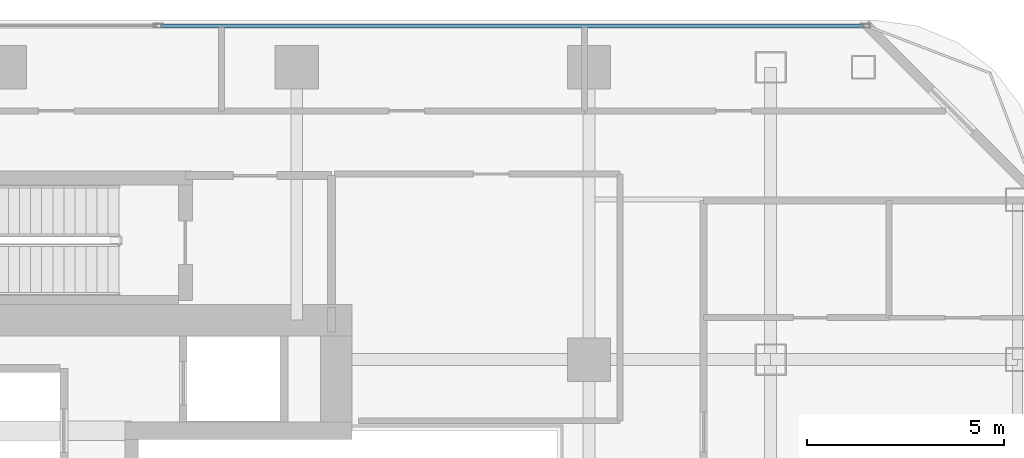
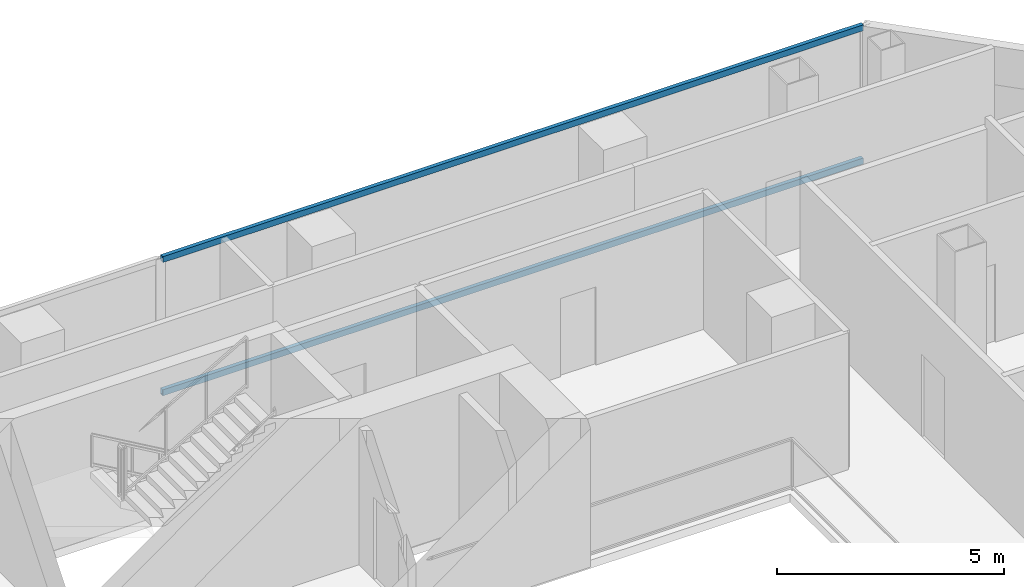
# One storey, part 17 of 27: 2 members, 1 element without a shape of its own.
"""IFC4 building model written with IfcOpenShell, lengths in metres."""

from ifc_helpers import new_model, si_unit, direction, frame, origin, origin_2d, place, context, subcontext, project, spatial, hollow_rectangle, extrude, material, layer, layer_set, material_profile, profile_set, type_object, element, aggregate, save


model = new_model("IFC4")

# Units and contexts
model_context = context("Model", 3, precision=1e-05, world=origin(), true_north=direction((0.0, 1.0)))
body_context = subcontext(model_context, "Body", "Model", "MODEL_VIEW")
ifc_project = project(units=[si_unit("LENGTHUNIT", "METRE"), si_unit("AREAUNIT", "SQUARE_METRE"), si_unit("VOLUMEUNIT", "CUBIC_METRE"), si_unit("PLANEANGLEUNIT", "RADIAN"), si_unit("MASSUNIT", "GRAM", prefix="KILO")], contexts=[model_context])

# Site, building, storey
site_placement = place(None, origin())
site = spatial("IfcSite", under=ifc_project, at=site_placement, CompositionType="ELEMENT")
building_placement = place(site_placement, origin())
building = spatial("IfcBuilding", under=site, at=building_placement, Name="Khorvyn Point Tower", CompositionType="ELEMENT")
storey_placement = place(building_placement, frame((0.0, 0.0, 227.39990234375)))
storey = spatial("IfcBuildingStorey", under=building, at=storey_placement, Name="L56", CompositionType="ELEMENT", Elevation=227.39990234375)

# Curtain wall, members
ifc_material_1 = material(Name="Anodised aluminium 6063-T6 and laminated Low-E glass", Category="aluminium")
ifc_layer = layer(ifc_material_1, 0.18994140625)
ifc_layer_set = layer_set([ifc_layer], Name="Stick-Built Acoustic Curtain Wall CW-SYS-03")
curtain_wall_type = type_object("IfcCurtainWallType", Name="Stick-Built Acoustic Curtain Wall CW-SYS-03", PredefinedType="NOTDEFINED", material=ifc_layer_set)
curtain_wall_placement = place(storey_placement, origin())
curtain_wall = element("IfcCurtainWall", 1, at=curtain_wall_placement, inside=storey, type_object=curtain_wall_type, Name="Curtain Wall", PredefinedType="NOTDEFINED")
ifc_material_2 = material(Name="Anodised aluminium 6063-T6", Category="aluminium")
ifc_material_profile = material_profile(ifc_material_2, hollow_rectangle(XDim=0.10009765625, YDim=0.159912109375, WallThickness=0.00439453125, at=origin_2d()))
ifc_profile_set = profile_set([ifc_material_profile], Name="Anodised aluminium 6063-T6 ALU-TRN-100x160")
member_type = type_object("IfcMemberType", Name="Anodised Aluminium 6063-T6 Transom ALU-TRN-100x160", PredefinedType="USERDEFINED", material=ifc_profile_set)
member_1_placement = place(storey_placement, frame((3.949951171875, 15.85009765625, 0.050048828125), z_axis=(1.0, 0.0, 0.0), x_axis=(0.0, 1.0, 0.0)))
member_1 = element("IfcMember", 2, at=member_1_placement, type_object=member_type, Name="Transom", ObjectType="TRANSOM", PredefinedType="USERDEFINED", context=body_context, shape_type="SweptSolid", body=[
    extrude(hollow_rectangle(XDim=0.10009765625, YDim=0.159912109375, WallThickness=0.00439453125, at=origin_2d()), origin(), (0.0, 0.0, 1.0), 17.800048828125),
])
member_2_placement = place(storey_placement, frame((3.949951171875, 15.85009765625, 3.630126953125), z_axis=(1.0, 0.0, 0.0), x_axis=(0.0, 1.0, 0.0)))
member_2 = element("IfcMember", 3, at=member_2_placement, type_object=member_type, Name="Transom", ObjectType="TRANSOM", PredefinedType="USERDEFINED", context=body_context, shape_type="SweptSolid", body=[
    extrude(hollow_rectangle(XDim=0.10009765625, YDim=0.159912109375, WallThickness=0.00439453125, at=origin_2d()), origin(), (0.0, 0.0, 1.0), 17.800048828125),
])
aggregate(curtain_wall, [member_1, member_2])

save(model, "model.ifc")
